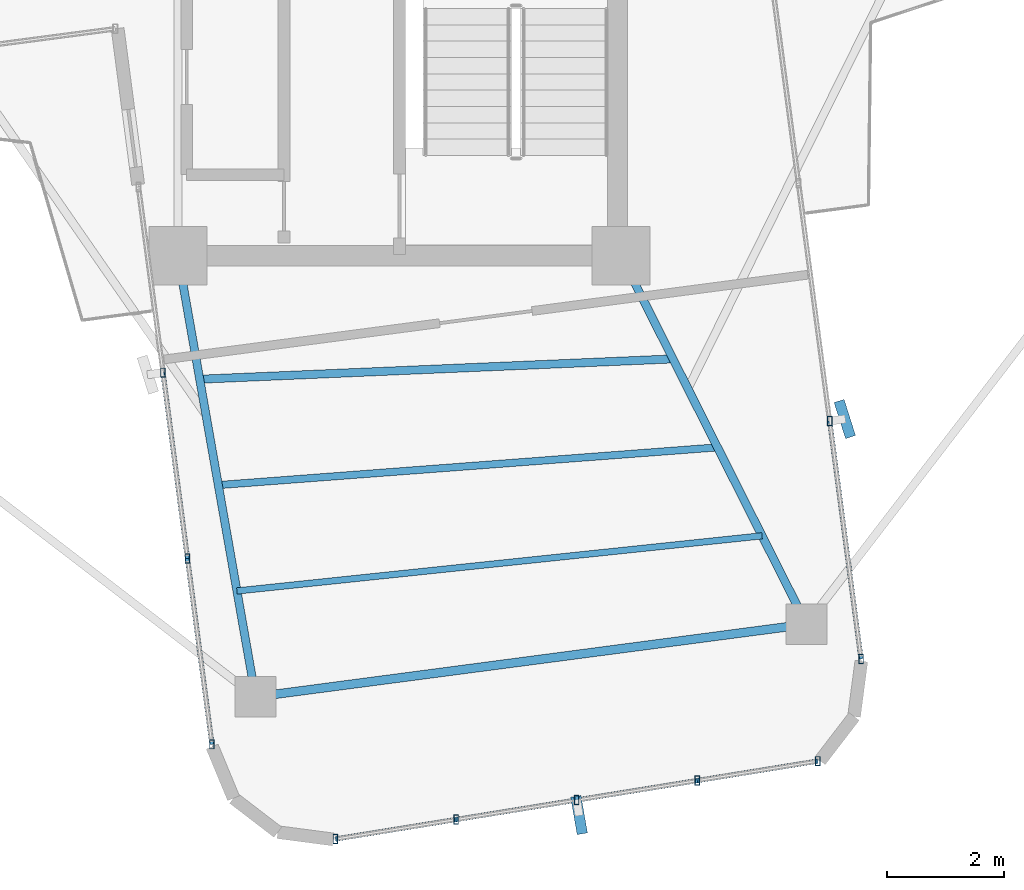
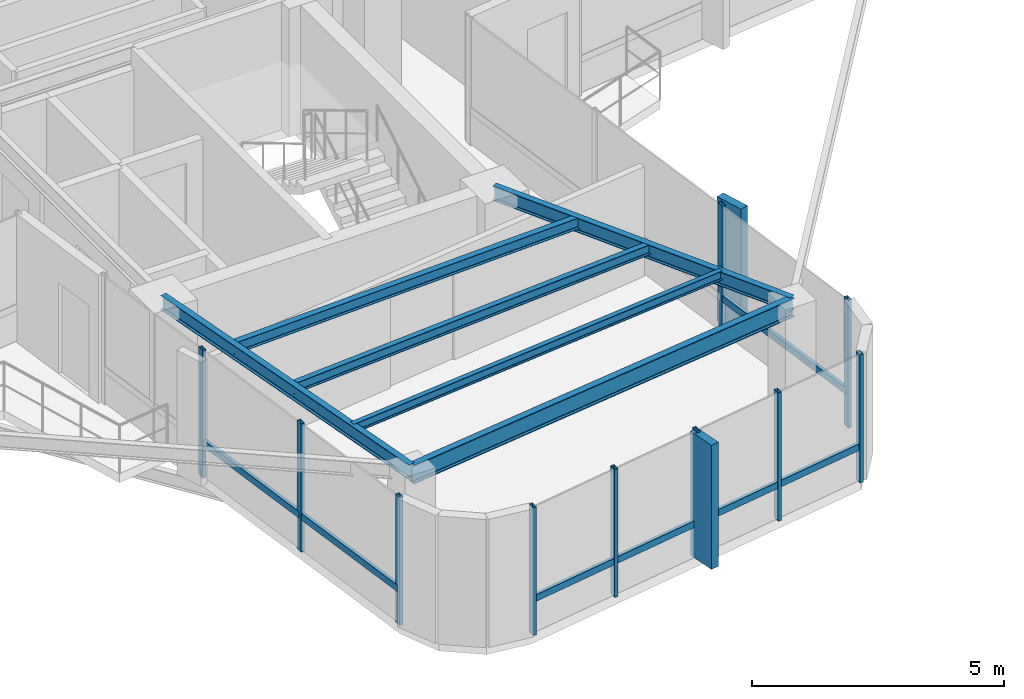
# One storey, part 4 of 22: 19 members, 6 beams, 3 elements without a shape of their own.
"""IFC4 building model written with IfcOpenShell, lengths in metres."""

from ifc_helpers import new_model, si_unit, direction, frame, origin, origin_2d, place, context, subcontext, project, spatial, rectangle, hollow_rectangle, i_section, extrude, source, transform, mapped, material, material_profile, profile_set, type_object, element, aggregate, save


model = new_model("IFC4")

# Units and contexts
model_context = context("Model", 3, precision=1e-05, world=origin(), true_north=direction((0.0, 1.0)))
body_context = subcontext(model_context, "Body", "Model", "MODEL_VIEW")
ifc_project = project(units=[si_unit("LENGTHUNIT", "METRE"), si_unit("AREAUNIT", "SQUARE_METRE"), si_unit("VOLUMEUNIT", "CUBIC_METRE"), si_unit("PLANEANGLEUNIT", "RADIAN"), si_unit("MASSUNIT", "GRAM", prefix="KILO")], contexts=[model_context])

# Site, building, storey
site_placement = place(None, origin())
site = spatial("IfcSite", under=ifc_project, at=site_placement, CompositionType="ELEMENT")
building_placement = place(site_placement, origin())
building = spatial("IfcBuilding", under=site, at=building_placement, Name="Sahyath Konkavel Grand Hotel", CompositionType="ELEMENT")
storey_placement = place(building_placement, frame((0.0, 0.0, 244.5)))
storey = spatial("IfcBuildingStorey", under=building, at=storey_placement, Name="L68", CompositionType="ELEMENT", Elevation=244.5)

# Beams
ifc_material_1 = material(Name="Steel E350", Category="steel")
ifc_material_profile_1 = material_profile(ifc_material_1, i_section(OverallWidth=0.139892578125, OverallDepth=0.35009765625, WebThickness=0.008056640625, FlangeThickness=0.01416015625, FilletRadius=0.013916015625, at=origin_2d()), Name="ISMB 350")
ifc_profile_set_1 = profile_set([ifc_material_profile_1], Name="Steel E350")
beam_type_1 = type_object("IfcBeamType", Name="BM-ISMB350", PredefinedType="BEAM", material=ifc_profile_set_1)
shared_shape_1 = source(origin(), body_context, "Body", "SweptSolid", [
    extrude(i_section(OverallWidth=0.139892578125, OverallDepth=0.35009765625, WebThickness=0.008056640625, FlangeThickness=0.01416015625, FilletRadius=0.013916015625, at=origin_2d()), origin(), (0.0, 0.0, 1.0), 7.68359375),
])
beam_1_placement = place(storey_placement, frame((-3.800048828125, -10.199951171875, 2.93505859375), z_axis=(0.173234265349, -0.984880647241, 0.0), x_axis=(0.984880647241, 0.173234265349, 0.0)))
element("IfcBeam", 1, at=beam_1_placement, inside=storey, type_object=beam_type_1, Name="L68 Cruciform Radial Girder SA", PredefinedType="BEAM", context=body_context, shape_type="MappedRepresentation", body=[
    mapped(shared_shape_1, transform((0.0, 0.0, 0.0), scale=1.0)),
])
shared_shape_2 = source(origin(), body_context, "Body", "SweptSolid", [
    extrude(i_section(OverallWidth=0.139892578125, OverallDepth=0.35009765625, WebThickness=0.008056640625, FlangeThickness=0.01416015625, FilletRadius=0.013916015625, at=origin_2d()), origin(), (0.0, 0.0, 1.0), 7.078857421875),
])
beam_2_placement = place(storey_placement, frame((3.800048828125, -10.199951171875, 2.93505859375), z_axis=(0.449695041193, -0.893182159431, 0.0), x_axis=(0.893182159431, 0.449695041193, 0.0)))
element("IfcBeam", 2, at=beam_2_placement, inside=storey, type_object=beam_type_1, Name="L68 Cruciform Radial Girder SB", PredefinedType="BEAM", context=body_context, shape_type="MappedRepresentation", body=[
    mapped(shared_shape_2, transform((0.0, 0.0, 0.0), scale=1.0)),
])
ifc_material_profile_2 = material_profile(ifc_material_1, i_section(OverallWidth=0.14990234375, OverallDepth=0.449951171875, WebThickness=0.009521484375, FlangeThickness=0.017333984375, FilletRadius=0.014892578125, at=origin_2d()), Name="ISMB 450")
ifc_profile_set_2 = profile_set([ifc_material_profile_2], Name="Steel E350")
beam_type_2 = type_object("IfcBeamType", Name="BM-ISMB450", PredefinedType="BEAM", material=ifc_profile_set_2)
shared_shape_3 = source(origin(), body_context, "Body", "SweptSolid", [
    extrude(i_section(OverallWidth=0.14990234375, OverallDepth=0.449951171875, WebThickness=0.009521484375, FlangeThickness=0.017333984375, FilletRadius=0.014892578125, at=origin_2d()), origin(), (0.0, 0.0, 1.0), 9.533935546875),
])
beam_3_placement = place(storey_placement, frame((-2.468994140625, -17.767333984375, 2.885009765625), z_axis=(0.99144217612, 0.130546587129, 0.0), x_axis=(-0.130546587129, 0.99144217612, 0.0)))
element("IfcBeam", 3, at=beam_3_placement, inside=storey, type_object=beam_type_2, Name="L68 Wing Tip Edge Beam S", PredefinedType="BEAM", context=body_context, shape_type="MappedRepresentation", body=[
    mapped(shared_shape_3, transform((0.0, 0.0, 0.0), scale=1.0)),
])
ifc_material_profile_3 = material_profile(ifc_material_1, i_section(OverallWidth=0.139892578125, OverallDepth=0.27490234375, WebThickness=0.00634765625, FlangeThickness=0.0087890625, FilletRadius=0.012939453125, at=origin_2d()), Name="ISLB 275")
ifc_profile_set_3 = profile_set([ifc_material_profile_3], Name="Steel E350")
beam_type_3 = type_object("IfcBeamType", Name="BM-ISLB275", PredefinedType="BEAM", material=ifc_profile_set_3)
shared_shape_4 = source(origin(), body_context, "Body", "SweptSolid", [
    extrude(i_section(OverallWidth=0.139892578125, OverallDepth=0.27490234375, WebThickness=0.00634765625, FlangeThickness=0.0087890625, FilletRadius=0.012939453125, at=origin_2d()), origin(), (0.0, 0.0, 1.0), 8.126220703125),
])
beam_4_placement = place(storey_placement, frame((-3.42724609375, -12.31884765625, 2.972412109375), z_axis=(0.999080544167, 0.042872675062, 0.0), x_axis=(-0.042872675062, 0.999080544167, 0.0)))
element("IfcBeam", 4, at=beam_4_placement, inside=storey, type_object=beam_type_3, Name="L68 Secondary Floor Beam S-1", PredefinedType="BEAM", context=body_context, shape_type="MappedRepresentation", body=[
    mapped(shared_shape_4, transform((0.0, 0.0, 0.0), scale=1.0)),
])
ifc_material_profile_4 = material_profile(ifc_material_1, i_section(OverallWidth=0.125, OverallDepth=0.25, WebThickness=0.0068359375, FlangeThickness=0.012451171875, FilletRadius=0.012939453125, at=origin_2d()), Name="ISMB 250")
ifc_profile_set_4 = profile_set([ifc_material_profile_4], Name="Steel E350")
beam_type_4 = type_object("IfcBeamType", Name="BM-ISMB250", PredefinedType="BEAM", material=ifc_profile_set_4)
shared_shape_5 = source(origin(), body_context, "Body", "SweptSolid", [
    extrude(i_section(OverallWidth=0.125, OverallDepth=0.25, WebThickness=0.0068359375, FlangeThickness=0.012451171875, FilletRadius=0.012939453125, at=origin_2d()), origin(), (0.0, 0.0, 1.0), 8.587646484375),
])
beam_5_placement = place(storey_placement, frame((-3.10791015625, -14.135009765625, 2.985107421875), z_axis=(0.997155943086, 0.0753659417, 0.0), x_axis=(-0.0753659417, 0.997155943086, 0.0)))
element("IfcBeam", 5, at=beam_5_placement, inside=storey, type_object=beam_type_4, Name="L68 Secondary Floor Beam S-2", PredefinedType="BEAM", context=body_context, shape_type="MappedRepresentation", body=[
    mapped(shared_shape_5, transform((0.0, 0.0, 0.0), scale=1.0)),
])
ifc_material_profile_5 = material_profile(ifc_material_1, i_section(OverallWidth=0.110107421875, OverallDepth=0.22509765625, WebThickness=0.006591796875, FlangeThickness=0.01171875, FilletRadius=0.011962890625, at=origin_2d()), Name="ISMB 225")
ifc_profile_set_5 = profile_set([ifc_material_profile_5], Name="Steel E350")
beam_type_5 = type_object("IfcBeamType", Name="BM-ISMB225", PredefinedType="BEAM", material=ifc_profile_set_5)
shared_shape_6 = source(origin(), body_context, "Body", "SweptSolid", [
    extrude(i_section(OverallWidth=0.110107421875, OverallDepth=0.22509765625, WebThickness=0.006591796875, FlangeThickness=0.01171875, FilletRadius=0.011962890625, at=origin_2d()), origin(), (0.0, 0.0, 1.0), 9.057373046875),
])
beam_6_placement = place(storey_placement, frame((-2.788330078125, -15.951171875, 2.99755859375), z_axis=(0.994532890656, 0.104423797116, 0.0), x_axis=(-0.104423797116, 0.994532890656, 0.0)))
element("IfcBeam", 6, at=beam_6_placement, inside=storey, type_object=beam_type_5, Name="L68 Secondary Floor Beam S-3", PredefinedType="BEAM", context=body_context, shape_type="MappedRepresentation", body=[
    mapped(shared_shape_6, transform((0.0, 0.0, 0.0), scale=1.0)),
])

# Curtain wall, member
ifc_material_2 = material(Name="Anodised Bronze Aluminium & Low-E Glazing", Category="aluminium")
curtain_wall_type = type_object("IfcCurtainWallType", Name="CW-ZONE4", PredefinedType="NOTDEFINED", material=ifc_material_2)
curtain_wall_1_placement = place(storey_placement, origin())
curtain_wall_1 = element("IfcCurtainWall", 7, at=curtain_wall_1_placement, inside=storey, type_object=curtain_wall_type, Name="L68 Unitised Curtain Wall F28", PredefinedType="NOTDEFINED")
ifc_material_3 = material(Name="Warm Buff Sandstone Cladding on Concrete C50/60", Category="masonry")
ifc_material_profile_6 = material_profile(ifc_material_3, rectangle(XDim=0.179931640625, YDim=0.64990234375, at=origin_2d()), Name="FIN 180x650")
ifc_profile_set_6 = profile_set([ifc_material_profile_6], Name="Warm Buff Sandstone Cladding on Concrete C50/60")
member_type_1 = type_object("IfcMemberType", Name="FIN-SANDSTONE-650", PredefinedType="MULLION", material=ifc_profile_set_6)
shared_shape_7 = source(origin(), body_context, "Body", "SweptSolid", [
    extrude(rectangle(XDim=0.179931640625, YDim=0.64990234375, at=origin_2d()), origin(), (0.0, 0.0, 1.0), 3.010009765625),
])
member_1_placement = place(storey_placement, frame((3.080322265625, -19.79638671875, 0.050048828125), z_axis=(0.0, 0.0, 1.0), x_axis=(0.985169280715, 0.171585221787, 0.0)))
member_1 = element("IfcMember", 8, at=member_1_placement, type_object=member_type_1, Name="L68 Sandstone Vertical Solar Fin FIN F28-2", PredefinedType="MULLION", context=body_context, shape_type="MappedRepresentation", body=[
    mapped(shared_shape_7, transform((0.0, 0.0, 0.0), scale=1.0)),
])

curtain_wall_2_placement = place(storey_placement, origin())
curtain_wall_2 = element("IfcCurtainWall", 9, at=curtain_wall_2_placement, inside=storey, type_object=curtain_wall_type, Name="L68 Unitised Curtain Wall F31", PredefinedType="NOTDEFINED")
member_2_placement = place(storey_placement, frame((7.639404296875, -13.001708984375, 0.050048828125), z_axis=(0.0, 0.0, 1.0), x_axis=(0.953032216634, 0.302868938746, 0.0)))
member_2 = element("IfcMember", 10, at=member_2_placement, type_object=member_type_1, Name="L68 Sandstone Vertical Solar Fin FIN F31-1", PredefinedType="MULLION", context=body_context, shape_type="MappedRepresentation", body=[
    mapped(shared_shape_7, transform((0.0, 0.0, 0.0), scale=1.0)),
])

# Curtain wall, members
curtain_wall_3_placement = place(storey_placement, origin())
curtain_wall_3 = element("IfcCurtainWall", 11, at=curtain_wall_3_placement, inside=storey, type_object=curtain_wall_type, Name="L68 Unitised Curtain Wall F24", PredefinedType="NOTDEFINED")
ifc_material_4 = material(Name="Anodised Bronze Aluminium", Category="aluminium")
ifc_material_profile_7 = material_profile(ifc_material_4, hollow_rectangle(XDim=0.080078125, YDim=0.159912109375, WallThickness=0.006103515625, at=origin_2d()), Name="RHS 160x80x6")
ifc_profile_set_7 = profile_set([ifc_material_profile_7], Name="Anodised Bronze Aluminium")
member_type_2 = type_object("IfcMemberType", Name="CW-MUL-160", PredefinedType="MULLION", material=ifc_profile_set_7)
shared_shape_8 = source(origin(), body_context, "Body", "SweptSolid", [
    extrude(hollow_rectangle(XDim=0.080078125, YDim=0.159912109375, WallThickness=0.006103515625, at=origin_2d()), origin(), (0.0, 0.0, 1.0), 3.110107421875),
])
member_3_placement = place(storey_placement, frame((-4.05859375, -12.20654296875, 0.0), z_axis=(0.0, 0.0, 1.0), x_axis=(1.0, 0.0, 0.0)))
member_3 = element("IfcMember", 12, at=member_3_placement, type_object=member_type_2, Name="L68 Curtain Wall Mullion F24-1", PredefinedType="MULLION", context=body_context, shape_type="MappedRepresentation", body=[
    mapped(shared_shape_8, transform((0.0, 0.0, 0.0), scale=1.0)),
])
member_4_placement = place(storey_placement, frame((-3.638916015625, -15.394287109375, 0.0), z_axis=(0.0, 0.0, 1.0), x_axis=(1.0, 0.0, 0.0)))
member_4 = element("IfcMember", 13, at=member_4_placement, type_object=member_type_2, Name="L68 Curtain Wall Mullion F24-2", PredefinedType="MULLION", context=body_context, shape_type="MappedRepresentation", body=[
    mapped(shared_shape_8, transform((0.0, 0.0, 0.0), scale=1.0)),
])
member_5_placement = place(storey_placement, frame((-3.218994140625, -18.58203125, 0.0), z_axis=(0.0, 0.0, 1.0), x_axis=(1.0, 0.0, 0.0)))
member_5 = element("IfcMember", 14, at=member_5_placement, type_object=member_type_2, Name="L68 Curtain Wall Mullion F24-3", PredefinedType="MULLION", context=body_context, shape_type="MappedRepresentation", body=[
    mapped(shared_shape_8, transform((0.0, 0.0, 0.0), scale=1.0)),
])

# Member
member_6_placement = place(storey_placement, frame((-1.0986328125, -20.2080078125, 0.0), z_axis=(0.0, 0.0, 1.0), x_axis=(1.0, 0.0, 0.0)))
member_6 = element("IfcMember", 15, at=member_6_placement, type_object=member_type_2, Name="L68 Curtain Wall Mullion F28-0", PredefinedType="MULLION", context=body_context, shape_type="MappedRepresentation", body=[
    mapped(shared_shape_8, transform((0.0, 0.0, 0.0), scale=1.0)),
])

member_7_placement = place(storey_placement, frame((0.97021484375, -19.873779296875, 0.0), z_axis=(0.0, 0.0, 1.0), x_axis=(1.0, 0.0, 0.0)))
member_7 = element("IfcMember", 16, at=member_7_placement, type_object=member_type_2, Name="L68 Curtain Wall Mullion F28-1", PredefinedType="MULLION", context=body_context, shape_type="MappedRepresentation", body=[
    mapped(shared_shape_8, transform((0.0, 0.0, 0.0), scale=1.0)),
])

member_8_placement = place(storey_placement, frame((3.038818359375, -19.53955078125, 0.0), z_axis=(0.0, 0.0, 1.0), x_axis=(1.0, 0.0, 0.0)))
member_8 = element("IfcMember", 17, at=member_8_placement, type_object=member_type_2, Name="L68 Curtain Wall Mullion F28-2", PredefinedType="MULLION", context=body_context, shape_type="MappedRepresentation", body=[
    mapped(shared_shape_8, transform((0.0, 0.0, 0.0), scale=1.0)),
])

member_9_placement = place(storey_placement, frame((5.10791015625, -19.205322265625, 0.0), z_axis=(0.0, 0.0, 1.0), x_axis=(1.0, 0.0, 0.0)))
member_9 = element("IfcMember", 18, at=member_9_placement, type_object=member_type_2, Name="L68 Curtain Wall Mullion F28-3", PredefinedType="MULLION", context=body_context, shape_type="MappedRepresentation", body=[
    mapped(shared_shape_8, transform((0.0, 0.0, 0.0), scale=1.0)),
])

member_10_placement = place(storey_placement, frame((7.176513671875, -18.87109375, 0.0), z_axis=(0.0, 0.0, 1.0), x_axis=(1.0, 0.0, 0.0)))
member_10 = element("IfcMember", 19, at=member_10_placement, type_object=member_type_2, Name="L68 Curtain Wall Mullion F28-4", PredefinedType="MULLION", context=body_context, shape_type="MappedRepresentation", body=[
    mapped(shared_shape_8, transform((0.0, 0.0, 0.0), scale=1.0)),
])

member_11_placement = place(storey_placement, frame((7.918701171875, -17.11572265625, 0.0), z_axis=(0.0, 0.0, 1.0), x_axis=(1.0, 0.0, 0.0)))
member_11 = element("IfcMember", 20, at=member_11_placement, type_object=member_type_2, Name="L68 Curtain Wall Mullion F31-0", PredefinedType="MULLION", context=body_context, shape_type="MappedRepresentation", body=[
    mapped(shared_shape_8, transform((0.0, 0.0, 0.0), scale=1.0)),
])

member_12_placement = place(storey_placement, frame((7.381591796875, -13.03564453125, 0.0), z_axis=(0.0, 0.0, 1.0), x_axis=(1.0, 0.0, 0.0)))
member_12 = element("IfcMember", 21, at=member_12_placement, type_object=member_type_2, Name="L68 Curtain Wall Mullion F31-1", PredefinedType="MULLION", context=body_context, shape_type="MappedRepresentation", body=[
    mapped(shared_shape_8, transform((0.0, 0.0, 0.0), scale=1.0)),
])

ifc_material_profile_8 = material_profile(ifc_material_4, hollow_rectangle(XDim=0.080078125, YDim=0.159912109375, WallThickness=0.006103515625, at=origin_2d()), Name="RHS 160x80x6")
ifc_profile_set_8 = profile_set([ifc_material_profile_8], Name="Anodised Bronze Aluminium")
member_type_3 = type_object("IfcMemberType", Name="CW-TRN-160", PredefinedType="USERDEFINED", material=ifc_profile_set_8)
shared_shape_9 = source(origin(), body_context, "Body", "SweptSolid", [
    extrude(hollow_rectangle(XDim=0.080078125, YDim=0.159912109375, WallThickness=0.006103515625, at=origin_2d()), origin(), (0.0, 0.0, 1.0), 3.21533203125),
])
member_13_placement = place(storey_placement, frame((-4.05859375, -12.20654296875, 0.85009765625), z_axis=(0.130527187822, -0.9914447303, 0.0), x_axis=(0.9914447303, 0.130527187822, 0.0)))
member_13 = element("IfcMember", 22, at=member_13_placement, type_object=member_type_3, Name="L68 Curtain Wall Transom F24-1-spandrel", ObjectType="TRANSOM", PredefinedType="USERDEFINED", context=body_context, shape_type="MappedRepresentation", body=[
    mapped(shared_shape_9, transform((0.0, 0.0, 0.0), scale=1.0)),
])

member_14_placement = place(storey_placement, frame((-3.638916015625, -15.394287109375, 0.85009765625), z_axis=(0.130601825078, -0.991434901184, 0.0), x_axis=(0.991434901184, 0.130601825078, 0.0)))
member_14 = element("IfcMember", 23, at=member_14_placement, type_object=member_type_3, Name="L68 Curtain Wall Transom F24-2-spandrel", ObjectType="TRANSOM", PredefinedType="USERDEFINED", context=body_context, shape_type="MappedRepresentation", body=[
    mapped(shared_shape_9, transform((0.0, 0.0, 0.0), scale=1.0)),
])

aggregate(curtain_wall_3, [member_3, member_4, member_5, member_13, member_14])

shared_shape_10 = source(origin(), body_context, "Body", "SweptSolid", [
    extrude(hollow_rectangle(XDim=0.080078125, YDim=0.159912109375, WallThickness=0.006103515625, at=origin_2d()), origin(), (0.0, 0.0, 1.0), 2.095703125),
])
member_15_placement = place(storey_placement, frame((-1.0986328125, -20.2080078125, 0.85009765625), z_axis=(0.987200326034, 0.159485160059, 0.0), x_axis=(-0.159485160059, 0.987200326034, 0.0)))
member_15 = element("IfcMember", 24, at=member_15_placement, type_object=member_type_3, Name="L68 Curtain Wall Transom F28-0-spandrel", ObjectType="TRANSOM", PredefinedType="USERDEFINED", context=body_context, shape_type="MappedRepresentation", body=[
    mapped(shared_shape_10, transform((0.0, 0.0, 0.0), scale=1.0)),
])

shared_shape_11 = source(origin(), body_context, "Body", "SweptSolid", [
    extrude(hollow_rectangle(XDim=0.080078125, YDim=0.159912109375, WallThickness=0.006103515625, at=origin_2d()), origin(), (0.0, 0.0, 1.0), 2.095458984375),
])
member_16_placement = place(storey_placement, frame((0.97021484375, -19.873779296875, 0.85009765625), z_axis=(0.987197362347, 0.15950350396, 0.0), x_axis=(-0.15950350396, 0.987197362347, 0.0)))
member_16 = element("IfcMember", 25, at=member_16_placement, type_object=member_type_3, Name="L68 Curtain Wall Transom F28-1-spandrel", ObjectType="TRANSOM", PredefinedType="USERDEFINED", context=body_context, shape_type="MappedRepresentation", body=[
    mapped(shared_shape_11, transform((0.0, 0.0, 0.0), scale=1.0)),
])

member_17_placement = place(storey_placement, frame((5.10791015625, -19.205322265625, 0.85009765625), z_axis=(0.987197362347, 0.15950350396, 0.0), x_axis=(-0.15950350396, 0.987197362347, 0.0)))
member_17 = element("IfcMember", 26, at=member_17_placement, type_object=member_type_3, Name="L68 Curtain Wall Transom F28-3-spandrel", ObjectType="TRANSOM", PredefinedType="USERDEFINED", context=body_context, shape_type="MappedRepresentation", body=[
    mapped(shared_shape_11, transform((0.0, 0.0, 0.0), scale=1.0)),
])

shared_shape_12 = source(origin(), body_context, "Body", "SweptSolid", [
    extrude(hollow_rectangle(XDim=0.080078125, YDim=0.159912109375, WallThickness=0.006103515625, at=origin_2d()), origin(), (0.0, 0.0, 1.0), 2.095947265625),
])
member_18_placement = place(storey_placement, frame((3.038818359375, -19.53955078125, 0.85009765625), z_axis=(0.987203288698, 0.159466820322, 0.0), x_axis=(-0.159466820322, 0.987203288698, 0.0)))
member_18 = element("IfcMember", 27, at=member_18_placement, type_object=member_type_3, Name="L68 Curtain Wall Transom F28-2-spandrel", ObjectType="TRANSOM", PredefinedType="USERDEFINED", context=body_context, shape_type="MappedRepresentation", body=[
    mapped(shared_shape_12, transform((0.0, 0.0, 0.0), scale=1.0)),
])

aggregate(curtain_wall_1, [member_6, member_7, member_8, member_1, member_9, member_10, member_15, member_16, member_18, member_17])

shared_shape_13 = source(origin(), body_context, "Body", "SweptSolid", [
    extrude(hollow_rectangle(XDim=0.080078125, YDim=0.159912109375, WallThickness=0.006103515625, at=origin_2d()), origin(), (0.0, 0.0, 1.0), 4.115234375),
])
member_19_placement = place(storey_placement, frame((7.918701171875, -17.11572265625, 0.85009765625), z_axis=(-0.130515897359, 0.991446216664, 0.0), x_axis=(-0.991446216664, -0.130515897359, 0.0)))
member_19 = element("IfcMember", 28, at=member_19_placement, type_object=member_type_3, Name="L68 Curtain Wall Transom F31-0-spandrel", ObjectType="TRANSOM", PredefinedType="USERDEFINED", context=body_context, shape_type="MappedRepresentation", body=[
    mapped(shared_shape_13, transform((0.0, 0.0, 0.0), scale=1.0)),
])

aggregate(curtain_wall_2, [member_11, member_12, member_2, member_19])

save(model, "model.ifc")
